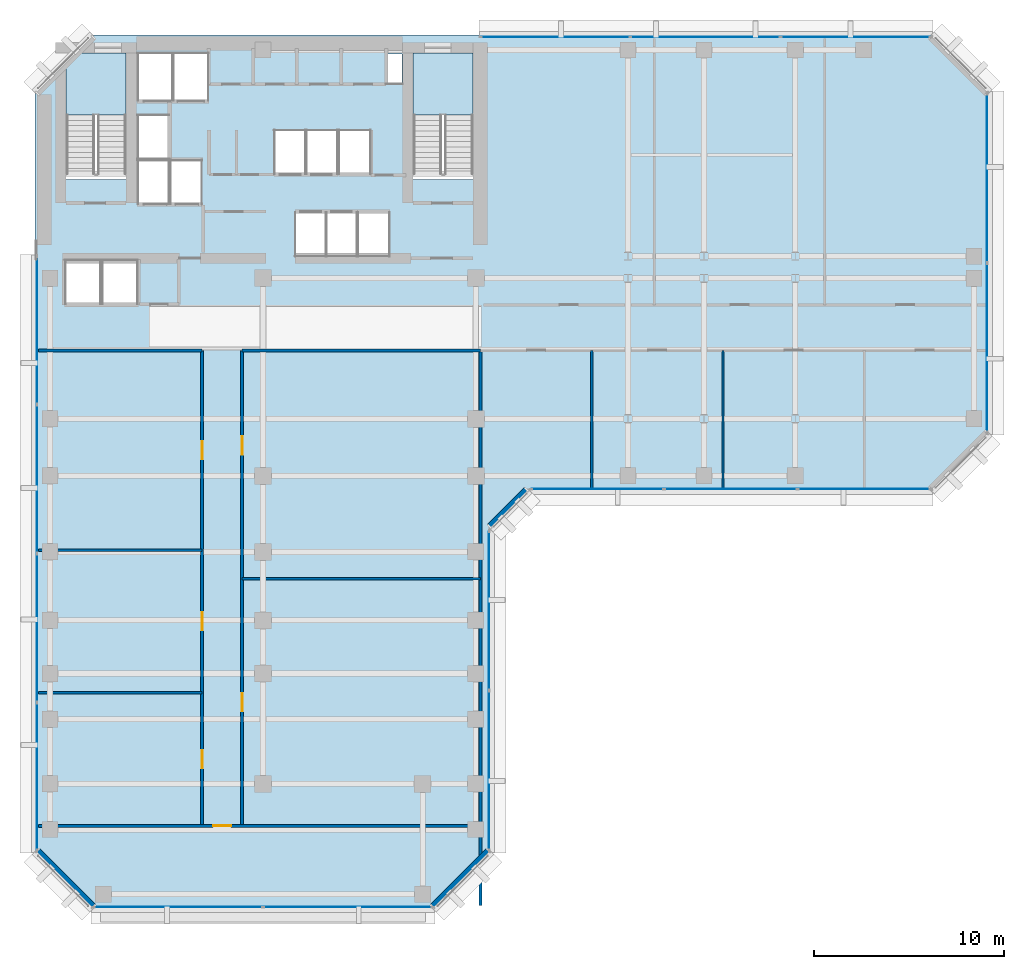
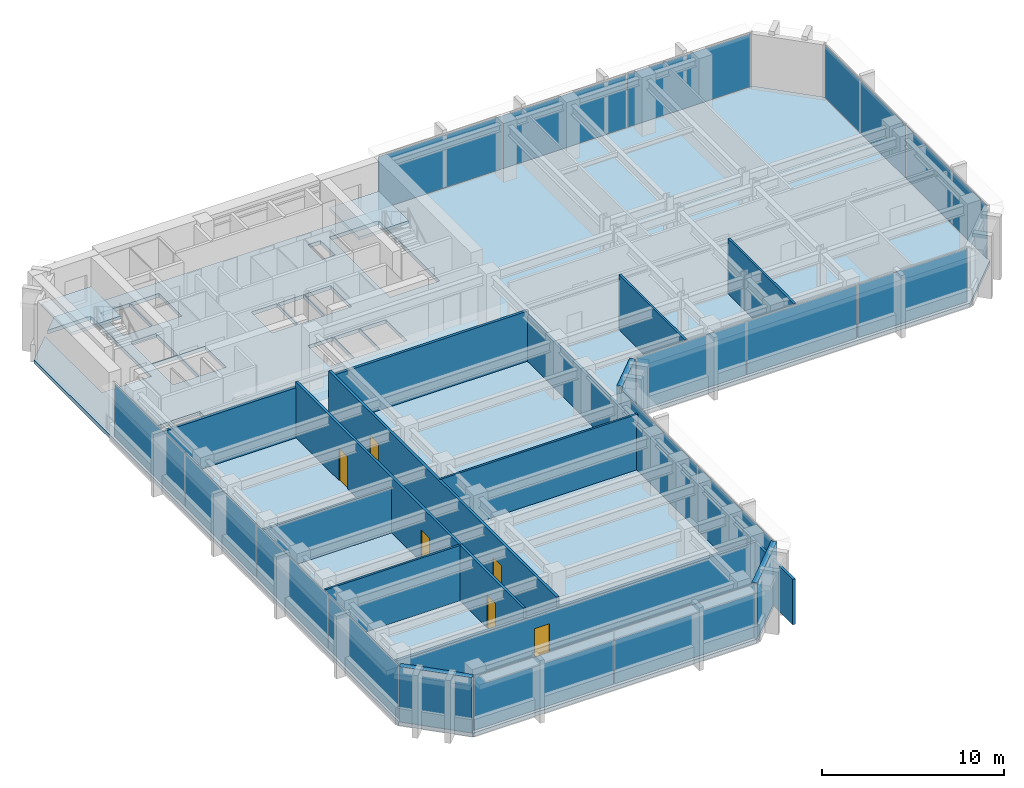
# One storey, part 6 of 11: 16 plates, 14 walls, 6 doors, 3 slabs, 6 openings, 8 elements without a shape of their own.
"""IFC4 building model written with IfcOpenShell, lengths in metres."""

from ifc_helpers import new_model, si_unit, direction, frame, frame_2d, origin, origin_2d, place, context, subcontext, project, spatial, polyline, rectangle, outline, extrude, material, layer, layer_set, type_object, element, fill, aggregate, save


model = new_model("IFC4")

# Units and contexts
model_context = context("Model", 3, precision=1e-05, world=origin(), true_north=direction((0.0, 1.0)))
body_context = subcontext(model_context, "Body", "Model", "MODEL_VIEW")
ifc_project = project(units=[si_unit("LENGTHUNIT", "METRE"), si_unit("AREAUNIT", "SQUARE_METRE"), si_unit("VOLUMEUNIT", "CUBIC_METRE"), si_unit("PLANEANGLEUNIT", "RADIAN"), si_unit("MASSUNIT", "GRAM", prefix="KILO")], contexts=[model_context])

# Site, building, storey
site_placement = place(None, origin())
site = spatial("IfcSite", under=ifc_project, at=site_placement, CompositionType="ELEMENT")
building_placement = place(site_placement, origin())
building = spatial("IfcBuilding", under=site, at=building_placement, Name="Kefirva Bronze Tower", CompositionType="ELEMENT")
storey_placement = place(building_placement, frame((0.0, 0.0, 158.72998046875)))
storey = spatial("IfcBuildingStorey", under=building, at=storey_placement, Name="L38", CompositionType="ELEMENT", Elevation=158.72998046875)

# Stair, slab
ifc_material_1 = material(Name="Concrete C40/50", Category="concrete")
stair_type = type_object("IfcStairType", Name="RC Dogleg Protected Stair 24R", PredefinedType="HALF_TURN_STAIR", material=ifc_material_1)
stair_1_placement = place(storey_placement, origin())
stair_1 = element("IfcStair", 1, at=stair_1_placement, inside=storey, type_object=stair_type, Name="L38 Protected Exit Stair 1", PredefinedType="HALF_TURN_STAIR")
ifc_layer_1 = layer(ifc_material_1, 0.199951171875, Name="Concrete C40/50")
ifc_layer_set_1 = layer_set([ifc_layer_1], Name="Concrete C40/50")
slab_type_1 = type_object("IfcSlabType", Name="RC Stair Landing Slab 200mm", PredefinedType="LANDING", material=ifc_layer_set_1)
slab_1_placement = place(storey_placement, frame((0.0, 0.0, 1.780029296875)))
slab_1 = element("IfcSlab", 2, at=slab_1_placement, type_object=slab_type_1, Name="ST-1 landing 1", PredefinedType="LANDING", context=body_context, shape_type="SweptSolid", body=[
    extrude(outline(polyline([(4.800048828125, 41.780029296875), (4.800048828125, 45.050048828125), (1.64990234375, 45.050048828125), (1.64990234375, 41.780029296875), (4.800048828125, 41.780029296875)])), origin(), (0.0, 0.0, 1.0), 0.199951171875),
])
aggregate(stair_1, [slab_1])

stair_2_placement = place(storey_placement, origin())
stair_2 = element("IfcStair", 3, at=stair_2_placement, inside=storey, type_object=stair_type, Name="L38 Protected Exit Stair 2", PredefinedType="HALF_TURN_STAIR")
slab_2_placement = place(storey_placement, frame((0.0, 0.0, 1.780029296875)))
slab_2 = element("IfcSlab", 4, at=slab_2_placement, type_object=slab_type_1, Name="ST-2 landing 1", PredefinedType="LANDING", context=body_context, shape_type="SweptSolid", body=[
    extrude(outline(polyline([(23.050048828125, 41.780029296875), (23.050048828125, 45.050048828125), (19.89990234375, 45.050048828125), (19.89990234375, 41.780029296875), (23.050048828125, 41.780029296875)])), origin(), (0.0, 0.0, 1.0), 0.199951171875),
])
aggregate(stair_2, [slab_2])

# Slab
ifc_layer_2 = layer(ifc_material_1, 0.25, Name="Concrete C40/50")
ifc_layer_set_2 = layer_set([ifc_layer_2], Name="Concrete C40/50")
slab_type_2 = type_object("IfcSlabType", Name="RC Tower Floor Slab 250mm", PredefinedType="FLOOR", material=ifc_layer_set_2)
slab_3_placement = place(storey_placement, frame((0.0, 0.0, -0.25)))
element("IfcSlab", 5, at=slab_3_placement, inside=storey, type_object=slab_type_2, Name="L38 Structural Floor Slab", PredefinedType="FLOOR", context=body_context, shape_type="SweptSolid", body=[
    extrude(outline(polyline([(0.0, 3.0), (0.0, 43.0), (1.64990234375, 44.64990234375), (1.64990234375, 38.39990234375), (4.800048828125, 38.39990234375), (4.800048828125, 45.050048828125), (2.050048828125, 45.050048828125), (3.0, 46.0), (47.199951171875, 46.0), (50.199951171875, 43.0), (50.199951171875, 25.0), (47.199951171875, 22.0), (26.0, 22.0), (24.0, 20.0), (24.0, 3.0), (21.0, 0.0), (3.0, 0.0), (0.0, 3.0)]), holes=[polyline([(23.050048828125, 38.39990234375), (23.050048828125, 45.050048828125), (19.89990234375, 45.050048828125), (19.89990234375, 38.39990234375), (23.050048828125, 38.39990234375)]), polyline([(19.320068359375, 43.419921875), (19.320068359375, 45.0), (18.52001953125, 45.0), (18.52001953125, 43.419921875), (19.320068359375, 43.419921875)]), polyline([(18.64990234375, 34.35009765625), (18.64990234375, 36.64990234375), (17.0, 36.64990234375), (17.0, 34.35009765625), (18.64990234375, 34.35009765625)]), polyline([(17.64990234375, 38.679931640625), (17.64990234375, 40.97998046875), (16.0, 40.97998046875), (16.0, 38.679931640625), (17.64990234375, 38.679931640625)]), polyline([(16.949951171875, 34.35009765625), (16.949951171875, 36.64990234375), (15.35009765625, 36.64990234375), (15.35009765625, 34.35009765625), (16.949951171875, 34.35009765625)]), polyline([(15.929931640625, 38.679931640625), (15.929931640625, 40.97998046875), (14.300048828125, 40.97998046875), (14.300048828125, 38.679931640625), (15.929931640625, 38.679931640625)]), polyline([(15.300048828125, 34.35009765625), (15.300048828125, 36.64990234375), (13.699951171875, 36.64990234375), (13.699951171875, 34.35009765625), (15.300048828125, 34.35009765625)]), polyline([(14.22998046875, 38.679931640625), (14.22998046875, 40.97998046875), (12.60009765625, 40.97998046875), (12.60009765625, 38.679931640625), (14.22998046875, 38.679931640625)]), polyline([(9.1201171875, 42.550048828125), (9.1201171875, 45.050048828125), (7.300048828125, 45.050048828125), (7.300048828125, 42.550048828125), (9.1201171875, 42.550048828125)]), polyline([(8.780029296875, 37.10009765625), (8.780029296875, 39.39990234375), (7.139892578125, 39.39990234375), (7.139892578125, 37.10009765625), (8.780029296875, 37.10009765625)]), polyline([(7.239990234375, 42.550048828125), (7.239990234375, 45.050048828125), (5.419921875, 45.050048828125), (5.419921875, 42.550048828125), (7.239990234375, 42.550048828125)]), polyline([(7.06005859375, 37.10009765625), (7.06005859375, 39.39990234375), (5.419921875, 39.39990234375), (5.419921875, 37.10009765625), (7.06005859375, 37.10009765625)]), polyline([(7.06005859375, 39.47998046875), (7.06005859375, 41.780029296875), (5.419921875, 41.780029296875), (5.419921875, 39.47998046875), (7.06005859375, 39.47998046875)]), polyline([(5.39990234375, 31.85009765625), (5.39990234375, 34.14990234375), (3.550048828125, 34.14990234375), (3.550048828125, 31.85009765625), (5.39990234375, 31.85009765625)]), polyline([(3.449951171875, 31.85009765625), (3.449951171875, 34.14990234375), (1.60009765625, 34.14990234375), (1.60009765625, 31.85009765625), (3.449951171875, 31.85009765625)])]), origin(), (0.0, 0.0, 1.0), 0.25),
])

# Curtain wall, plates
ifc_material_2 = material(Name="Bronze anodised aluminium", Category="aluminium")
ifc_layer_3 = layer(ifc_material_2, 0.199951171875, Name="Bronze anodised aluminium")
ifc_layer_set_3 = layer_set([ifc_layer_3], Name="Bronze anodised aluminium")
curtain_wall_type = type_object("IfcCurtainWallType", Name="Unitised Bronze Ribbon Curtain Wall Zone 2", PredefinedType="USERDEFINED", material=ifc_layer_set_3)
curtain_wall_1_placement = place(storey_placement, origin())
curtain_wall_1 = element("IfcCurtainWall", 6, at=curtain_wall_1_placement, inside=storey, type_object=curtain_wall_type, Name="L38 Curtain Wall 1", ObjectType="UNITISED CURTAIN WALL", PredefinedType="USERDEFINED")
ifc_material_3 = material(Name="Laminated low-E double glazing", Category="glass")
ifc_layer_4 = layer(ifc_material_3, 0.031982421875, Name="Laminated low-E double glazing")
ifc_layer_set_4 = layer_set([ifc_layer_4], Name="Laminated low-E double glazing")
plate_type = type_object("IfcPlateType", Name="Solar-Control Low-E Vision Panel 32mm", PredefinedType="CURTAIN_PANEL", material=ifc_layer_set_4)
plate_1_placement = place(storey_placement, frame((7.546142578125, 0.1201171875, 0.074951171875), z_axis=(0.0, 0.0, 1.0), x_axis=(1.0, 0.0, 0.0)))
plate_1 = element("IfcPlate", 7, at=plate_1_placement, type_object=plate_type, Name="CW-02 panel 1.1", PredefinedType="CURTAIN_PANEL", context=body_context, shape_type="SweptSolid", body=[
    extrude(rectangle(XDim=8.83251953125, YDim=0.031982421875, at=origin_2d()), origin(), (0.0, 0.0, 1.0), 3.56005859375),
])
plate_2_placement = place(storey_placement, frame((16.453857421875, 0.1201171875, 0.074951171875), z_axis=(0.0, 0.0, 1.0), x_axis=(1.0, 0.0, 0.0)))
plate_2 = element("IfcPlate", 8, at=plate_2_placement, type_object=plate_type, Name="CW-02 panel 2.1", PredefinedType="CURTAIN_PANEL", context=body_context, shape_type="SweptSolid", body=[
    extrude(rectangle(XDim=8.83251953125, YDim=0.031982421875, at=origin_2d()), origin(), (0.0, 0.0, 1.0), 3.56005859375),
])
aggregate(curtain_wall_1, [plate_1, plate_2])

curtain_wall_2_placement = place(storey_placement, origin())
curtain_wall_2 = element("IfcCurtainWall", 9, at=curtain_wall_2_placement, inside=storey, type_object=curtain_wall_type, Name="L38 Curtain Wall 2", ObjectType="UNITISED CURTAIN WALL", PredefinedType="USERDEFINED")
plate_3_placement = place(storey_placement, frame((23.8798828125, 7.296142578125, 0.074951171875), z_axis=(0.0, 0.0, 1.0), x_axis=(0.0, 1.0, 0.0)))
plate_3 = element("IfcPlate", 10, at=plate_3_placement, type_object=plate_type, Name="CW-02 panel 1.1", PredefinedType="CURTAIN_PANEL", context=body_context, shape_type="SweptSolid", body=[
    extrude(rectangle(XDim=8.33251953125, YDim=0.031982421875, at=origin_2d()), origin(), (0.0, 0.0, 1.0), 3.56005859375),
])
plate_4_placement = place(storey_placement, frame((23.8798828125, 15.703857421875, 0.074951171875), z_axis=(0.0, 0.0, 1.0), x_axis=(0.0, 1.0, 0.0)))
plate_4 = element("IfcPlate", 11, at=plate_4_placement, type_object=plate_type, Name="CW-02 panel 2.1", PredefinedType="CURTAIN_PANEL", context=body_context, shape_type="SweptSolid", body=[
    extrude(rectangle(XDim=8.33251953125, YDim=0.031982421875, at=origin_2d()), origin(), (0.0, 0.0, 1.0), 3.56005859375),
])
aggregate(curtain_wall_2, [plate_3, plate_4])

curtain_wall_3_placement = place(storey_placement, origin())
curtain_wall_3 = element("IfcCurtainWall", 12, at=curtain_wall_3_placement, inside=storey, type_object=curtain_wall_type, Name="L38 Curtain Wall 3", ObjectType="UNITISED CURTAIN WALL", PredefinedType="USERDEFINED")
plate_5_placement = place(storey_placement, frame((29.5888671875, 22.1201171875, 0.074951171875), z_axis=(0.0, 0.0, 1.0), x_axis=(1.0, 0.0, 0.0)))
plate_5 = element("IfcPlate", 13, at=plate_5_placement, type_object=plate_type, Name="CW-02 panel 1.1", PredefinedType="CURTAIN_PANEL", context=body_context, shape_type="SweptSolid", body=[
    extrude(rectangle(XDim=6.91748046875, YDim=0.031982421875, at=origin_2d()), origin(), (0.0, 0.0, 1.0), 3.56005859375),
])
plate_6_placement = place(storey_placement, frame((36.60009765625, 22.1201171875, 0.074951171875), z_axis=(0.0, 0.0, 1.0), x_axis=(1.0, 0.0, 0.0)))
plate_6 = element("IfcPlate", 14, at=plate_6_placement, type_object=plate_type, Name="CW-02 panel 2.1", PredefinedType="CURTAIN_PANEL", context=body_context, shape_type="SweptSolid", body=[
    extrude(rectangle(XDim=6.955078125, YDim=0.031982421875, at=origin_2d()), origin(), (0.0, 0.0, 1.0), 3.56005859375),
])
plate_7_placement = place(storey_placement, frame((43.611328125, 22.1201171875, 0.074951171875), z_axis=(0.0, 0.0, 1.0), x_axis=(1.0, 0.0, 0.0)))
plate_7 = element("IfcPlate", 15, at=plate_7_placement, type_object=plate_type, Name="CW-02 panel 3.1", PredefinedType="CURTAIN_PANEL", context=body_context, shape_type="SweptSolid", body=[
    extrude(rectangle(XDim=6.91748046875, YDim=0.031982421875, at=origin_2d()), origin(), (0.0, 0.0, 1.0), 3.56005859375),
])
aggregate(curtain_wall_3, [plate_5, plate_6, plate_7])

curtain_wall_4_placement = place(storey_placement, origin())
curtain_wall_4 = element("IfcCurtainWall", 16, at=curtain_wall_4_placement, inside=storey, type_object=curtain_wall_type, Name="L38 Curtain Wall 4", ObjectType="UNITISED CURTAIN WALL", PredefinedType="USERDEFINED")
plate_8_placement = place(storey_placement, frame((50.080078125, 29.546142578125, 0.074951171875), z_axis=(0.0, 0.0, 1.0), x_axis=(0.0, 1.0, 0.0)))
plate_8 = element("IfcPlate", 17, at=plate_8_placement, type_object=plate_type, Name="CW-02 panel 1.1", PredefinedType="CURTAIN_PANEL", context=body_context, shape_type="SweptSolid", body=[
    extrude(rectangle(XDim=8.83251953125, YDim=0.031982421875, at=origin_2d()), origin(), (0.0, 0.0, 1.0), 3.56005859375),
])
plate_9_placement = place(storey_placement, frame((50.080078125, 38.453857421875, 0.074951171875), z_axis=(0.0, 0.0, 1.0), x_axis=(0.0, 1.0, 0.0)))
plate_9 = element("IfcPlate", 18, at=plate_9_placement, type_object=plate_type, Name="CW-02 panel 2.1", PredefinedType="CURTAIN_PANEL", context=body_context, shape_type="SweptSolid", body=[
    extrude(rectangle(XDim=8.83251953125, YDim=0.031982421875, at=origin_2d()), origin(), (0.0, 0.0, 1.0), 3.56005859375),
])
aggregate(curtain_wall_4, [plate_8, plate_9])

curtain_wall_5_placement = place(storey_placement, origin())
curtain_wall_5 = element("IfcCurtainWall", 19, at=curtain_wall_5_placement, inside=storey, type_object=curtain_wall_type, Name="L38 Curtain Wall 5", ObjectType="UNITISED CURTAIN WALL", PredefinedType="USERDEFINED")
plate_10_placement = place(storey_placement, frame((43.169677734375, 45.8798828125, 0.074951171875), z_axis=(0.0, 0.0, 1.0), x_axis=(-1.0, 0.0, 0.0)))
plate_10 = element("IfcPlate", 20, at=plate_10_placement, type_object=plate_type, Name="CW-02 panel 1.1", PredefinedType="CURTAIN_PANEL", context=body_context, shape_type="SweptSolid", body=[
    extrude(rectangle(XDim=7.80078125, YDim=0.031982421875, at=origin_2d()), origin(), (0.0, 0.0, 1.0), 3.56005859375),
])
plate_11_placement = place(storey_placement, frame((35.27490234375, 45.8798828125, 0.074951171875), z_axis=(0.0, 0.0, 1.0), x_axis=(-1.0, 0.0, 0.0)))
plate_11 = element("IfcPlate", 21, at=plate_11_placement, type_object=plate_type, Name="CW-02 panel 2.1", PredefinedType="CURTAIN_PANEL", context=body_context, shape_type="SweptSolid", body=[
    extrude(rectangle(XDim=7.83837890625, YDim=0.031982421875, at=origin_2d()), origin(), (0.0, 0.0, 1.0), 3.56005859375),
])
plate_12_placement = place(storey_placement, frame((27.38037109375, 45.8798828125, 0.074951171875), z_axis=(0.0, 0.0, 1.0), x_axis=(-1.0, 0.0, 0.0)))
plate_12 = element("IfcPlate", 22, at=plate_12_placement, type_object=plate_type, Name="CW-02 panel 3.1", PredefinedType="CURTAIN_PANEL", context=body_context, shape_type="SweptSolid", body=[
    extrude(rectangle(XDim=7.80078125, YDim=0.031982421875, at=origin_2d()), origin(), (0.0, 0.0, 1.0), 3.56005859375),
])
aggregate(curtain_wall_5, [plate_10, plate_11, plate_12])

curtain_wall_6_placement = place(storey_placement, origin())
curtain_wall_6 = element("IfcCurtainWall", 23, at=curtain_wall_6_placement, inside=storey, type_object=curtain_wall_type, Name="L38 Curtain Wall 6", ObjectType="UNITISED CURTAIN WALL", PredefinedType="USERDEFINED")
plate_13_placement = place(storey_placement, frame((0.1201171875, 30.458740234375, 0.074951171875), z_axis=(0.0, 0.0, 1.0), x_axis=(0.0, -1.0, 0.0)))
plate_13 = element("IfcPlate", 24, at=plate_13_placement, type_object=plate_type, Name="CW-02 panel 1.1", PredefinedType="CURTAIN_PANEL", context=body_context, shape_type="SweptSolid", body=[
    extrude(rectangle(XDim=7.722412109375, YDim=0.031982421875, at=origin_2d()), origin(), (0.0, 0.0, 1.0), 3.56005859375),
])
plate_14_placement = place(storey_placement, frame((0.1201171875, 22.642578125, 0.074951171875), z_axis=(0.0, 0.0, 1.0), x_axis=(0.0, -1.0, 0.0)))
plate_14 = element("IfcPlate", 25, at=plate_14_placement, type_object=plate_type, Name="CW-02 panel 2.1", PredefinedType="CURTAIN_PANEL", context=body_context, shape_type="SweptSolid", body=[
    extrude(rectangle(XDim=7.760009765625, YDim=0.031982421875, at=origin_2d()), origin(), (0.0, 0.0, 1.0), 3.56005859375),
])
plate_15_placement = place(storey_placement, frame((0.1201171875, 14.8076171875, 0.074951171875), z_axis=(0.0, 0.0, 1.0), x_axis=(0.0, -1.0, 0.0)))
plate_15 = element("IfcPlate", 26, at=plate_15_placement, type_object=plate_type, Name="CW-02 panel 3.1", PredefinedType="CURTAIN_PANEL", context=body_context, shape_type="SweptSolid", body=[
    extrude(rectangle(XDim=7.760009765625, YDim=0.031982421875, at=origin_2d()), origin(), (0.0, 0.0, 1.0), 3.56005859375),
])
plate_16_placement = place(storey_placement, frame((0.1201171875, 6.9912109375, 0.074951171875), z_axis=(0.0, 0.0, 1.0), x_axis=(0.0, -1.0, 0.0)))
plate_16 = element("IfcPlate", 27, at=plate_16_placement, type_object=plate_type, Name="CW-02 panel 4.1", PredefinedType="CURTAIN_PANEL", context=body_context, shape_type="SweptSolid", body=[
    extrude(rectangle(XDim=7.722412109375, YDim=0.031982421875, at=origin_2d()), origin(), (0.0, 0.0, 1.0), 3.56005859375),
])
aggregate(curtain_wall_6, [plate_13, plate_14, plate_15, plate_16])

# Walls
ifc_material_4 = material(Name="Gypsum acoustic partition")
ifc_layer_5 = layer(ifc_material_4, 0.1298828125, Name="Gypsum acoustic partition")
ifc_layer_set_5 = layer_set([ifc_layer_5], Name="Gypsum acoustic partition")
wall_type_1 = type_object("IfcWallType", Name="Acoustic Office Partition 130mm", PredefinedType="PARTITIONING", material=ifc_layer_set_5)
wall_1_placement = place(storey_placement, frame((0.18994140625, 11.392822265625, 0.0), z_axis=(0.0, 0.0, 1.0), x_axis=(1.0, 0.0, 0.0)))
element("IfcWall", 28, at=wall_1_placement, inside=storey, type_object=wall_type_1, Name="L38 Partition W-L38-SWD1", PredefinedType="PARTITIONING", context=body_context, shape_type="SweptSolid", body=[
    extrude(rectangle(XDim=8.610107421875, YDim=0.1298828125, at=frame_2d((4.30517578125, 0.0))), origin(), (0.0, 0.0, 1.0), 3.7099609375),
])
wall_2_placement = place(storey_placement, frame((0.18994140625, 18.895751953125, 0.0), z_axis=(0.0, 0.0, 1.0), x_axis=(1.0, 0.0, 0.0)))
element("IfcWall", 29, at=wall_2_placement, inside=storey, type_object=wall_type_1, Name="L38 Partition W-L38-SWD2", PredefinedType="PARTITIONING", context=body_context, shape_type="SweptSolid", body=[
    extrude(rectangle(XDim=8.610107421875, YDim=0.1298828125, at=frame_2d((4.30517578125, 0.0))), origin(), (0.0, 0.0, 1.0), 3.044921875),
])
wall_3_placement = place(storey_placement, frame((10.89990234375, 17.395263671875, 0.0), z_axis=(0.0, 0.0, 1.0), x_axis=(1.0, 0.0, 0.0)))
element("IfcWall", 30, at=wall_3_placement, inside=storey, type_object=wall_type_1, Name="L38 Partition W-L38-SED1", PredefinedType="PARTITIONING", context=body_context, shape_type="SweptSolid", body=[
    extrude(rectangle(XDim=12.550048828125, YDim=0.1298828125, at=frame_2d((6.27490234375, 0.0))), origin(), (0.0, 0.0, 1.0), 3.7099609375),
])
for number, where, z_axis, x_axis, name in (
    (31, (29.293212890625, 22.18994140625, 0.0), (0.0, 0.0, 1.0), (0.0, 1.0, 0.0), "L38 Partition W-L38-ESD1"),
    (32, (36.19873046875, 22.18994140625, 0.0), (0.0, 0.0, 1.0), (0.0, 1.0, 0.0), "L38 Partition W-L38-ESD2"),
):
    element("IfcWall", number, at=place(storey_placement, frame(where, z_axis=z_axis, x_axis=x_axis)), inside=storey, type_object=wall_type_1, Name=name, PredefinedType="PARTITIONING", context=body_context, shape_type="SweptSolid", body=[
        extrude(rectangle(XDim=7.2099609375, YDim=0.1298828125, at=frame_2d((3.60498046875, 0.0))), origin(), (0.0, 0.0, 1.0), 3.7099609375),
    ])
ifc_material_5 = material(Name="Precast concrete C40/50", Category="concrete")
ifc_layer_6 = layer(ifc_material_5, 0.320068359375, Name="Precast concrete C40/50")
ifc_layer_set_6 = layer_set([ifc_layer_6], Name="Precast concrete C40/50")
wall_type_2 = type_object("IfcWallType", Name="Precast Insulated Exterior Wall 320mm", PredefinedType="SOLIDWALL", material=ifc_layer_set_6)
wall_4_placement = place(storey_placement, frame((20.92578125, 0.152099609375, 0.0), z_axis=(0.0, 0.0, 1.0), x_axis=(0.707106781187, 0.707106781187, 0.0)))
element("IfcWall", 33, at=wall_4_placement, inside=storey, type_object=wall_type_2, Name="L38 Exterior Facade Wall 1", PredefinedType="SOLIDWALL", context=body_context, shape_type="SweptSolid", body=[
    extrude(rectangle(XDim=4.132568359375, YDim=0.320068359375, at=frame_2d((2.06640625, 0.0))), origin(), (0.0, 0.0, 1.0), 3.7099609375),
])
wall_5_placement = place(storey_placement, frame((23.92578125, 20.152099609375, 0.0), z_axis=(0.0, 0.0, 1.0), x_axis=(0.707106781187, 0.707106781187, 0.0)))
element("IfcWall", 34, at=wall_5_placement, inside=storey, type_object=wall_type_2, Name="L38 Exterior Facade Wall 2", PredefinedType="SOLIDWALL", context=body_context, shape_type="SweptSolid", body=[
    extrude(rectangle(XDim=2.71826171875, YDim=0.320068359375, at=frame_2d((1.359130859375, 0.0))), origin(), (0.0, 0.0, 1.0), 3.7099609375),
])
wall_6_placement = place(storey_placement, frame((0.152099609375, 3.07421875, 0.0), z_axis=(0.0, 0.0, 1.0), x_axis=(0.707106781187, -0.707106781187, 0.0)))
element("IfcWall", 35, at=wall_6_placement, inside=storey, type_object=wall_type_2, Name="L38 Exterior Facade Wall 6", PredefinedType="SOLIDWALL", context=body_context, shape_type="SweptSolid", body=[
    extrude(rectangle(XDim=4.132568359375, YDim=0.320068359375, at=frame_2d((2.06640625, 0.0))), origin(), (0.0, 0.0, 1.0), 3.7099609375),
])

# Wall, openings, doors
ifc_layer_7 = layer(ifc_material_4, 0.159912109375, Name="Gypsum acoustic partition")
ifc_layer_set_7 = layer_set([ifc_layer_7], Name="Gypsum acoustic partition")
wall_type_3 = type_object("IfcWallType", Name="Protected Corridor Partition 160mm", PredefinedType="PARTITIONING", material=ifc_layer_set_7)
wall_7_placement = place(storey_placement, frame((8.800048828125, 4.389892578125, 0.0), z_axis=(0.0, 0.0, 1.0), x_axis=(0.0, 1.0, 0.0)))
wall_7 = element("IfcWall", 36, at=wall_7_placement, inside=storey, type_object=wall_type_3, Name="L38 Partition W-L38-SWCORW", PredefinedType="PARTITIONING", context=body_context, shape_type="SweptSolid", body=[
    extrude(rectangle(XDim=25.010009765625, YDim=0.159912109375, at=frame_2d((12.5048828125, 0.0))), origin(), (0.0, 0.0, 1.0), 3.7099609375),
])
opening_1_placement = place(wall_7_placement, frame((3.976318359375, 0.0, 0.0), z_axis=(0.0, 0.0, 1.0), x_axis=(-1.0, 0.0, 0.0)))
opening_1 = element("IfcOpeningElement", 37, at=opening_1_placement, cuts=wall_7, Name="Opening L38-D-SW1", PredefinedType="OPENING", context=body_context, shape_type="SweptSolid", body=[
    extrude(rectangle(XDim=0.949951171875, YDim=2.14990234375, at=frame_2d((0.47509765625, 1.074951171875))), frame((0.0, 0.08984375, 0.0), z_axis=(0.0, -1.0, 0.0), x_axis=(1.0, 0.0, 0.0)), (0.0, 0.0, 1.0), 0.179931640625),
])
opening_2_placement = place(wall_7_placement, frame((11.229248046875, 0.0, 0.0), z_axis=(0.0, 0.0, 1.0), x_axis=(-1.0, 0.0, 0.0)))
opening_2 = element("IfcOpeningElement", 38, at=opening_2_placement, cuts=wall_7, Name="Opening L38-D-SW2", PredefinedType="OPENING", context=body_context, shape_type="SweptSolid", body=[
    extrude(rectangle(XDim=0.949951171875, YDim=2.14990234375, at=frame_2d((0.47509765625, 1.074951171875))), frame((0.0, 0.08984375, 0.0), z_axis=(0.0, -1.0, 0.0), x_axis=(1.0, 0.0, 0.0)), (0.0, 0.0, 1.0), 0.179931640625),
])
opening_3_placement = place(wall_7_placement, frame((20.23291015625, 0.0, 0.0), z_axis=(0.0, 0.0, 1.0), x_axis=(-1.0, 0.0, 0.0)))
opening_3 = element("IfcOpeningElement", 39, at=opening_3_placement, cuts=wall_7, Name="Opening L38-D-SW3", PredefinedType="OPENING", context=body_context, shape_type="SweptSolid", body=[
    extrude(rectangle(XDim=0.949951171875, YDim=2.14990234375, at=frame_2d((0.47509765625, 1.074951171875))), frame((0.0, 0.08984375, 0.0), z_axis=(0.0, -1.0, 0.0), x_axis=(1.0, 0.0, 0.0)), (0.0, 0.0, 1.0), 0.179931640625),
])
ifc_material_6 = material(Name="Acoustic hardwood oak", Category="wood")
door_type = type_object("IfcDoorType", Name="Office & Meeting Room Door 950x2150", OperationType="NOTDEFINED", PredefinedType="DOOR", material=ifc_material_6)
door_1_placement = place(opening_1_placement, origin())
door_1 = element("IfcDoor", 40, at=door_1_placement, inside=storey, type_object=door_type, Name="Door L38-D-SW1", OperationType="SINGLE_SWING_RIGHT", OverallHeight=2.14990234375, OverallWidth=0.949951171875, PredefinedType="DOOR", context=body_context, shape_type="SweptSolid", body=[
    extrude(rectangle(XDim=0.949951171875, YDim=2.14990234375, at=frame_2d((0.47509765625, 1.074951171875))), frame((0.0, 0.02490234375, 0.0), z_axis=(0.0, -1.0, 0.0), x_axis=(1.0, 0.0, 0.0)), (0.0, 0.0, 1.0), 0.050048828125),
])
fill(opening_1, door_1)
door_2_placement = place(opening_2_placement, origin())
door_2 = element("IfcDoor", 41, at=door_2_placement, inside=storey, type_object=door_type, Name="Door L38-D-SW2", OperationType="SINGLE_SWING_LEFT", OverallHeight=2.14990234375, OverallWidth=0.949951171875, PredefinedType="DOOR", context=body_context, shape_type="SweptSolid", body=[
    extrude(rectangle(XDim=0.949951171875, YDim=2.14990234375, at=frame_2d((0.47509765625, 1.074951171875))), frame((0.0, 0.02490234375, 0.0), z_axis=(0.0, -1.0, 0.0), x_axis=(1.0, 0.0, 0.0)), (0.0, 0.0, 1.0), 0.050048828125),
])
fill(opening_2, door_2)
door_3_placement = place(opening_3_placement, origin())
door_3 = element("IfcDoor", 42, at=door_3_placement, inside=storey, type_object=door_type, Name="Door L38-D-SW3", OperationType="SINGLE_SWING_RIGHT", OverallHeight=2.14990234375, OverallWidth=0.949951171875, PredefinedType="DOOR", context=body_context, shape_type="SweptSolid", body=[
    extrude(rectangle(XDim=0.949951171875, YDim=2.14990234375, at=frame_2d((0.47509765625, 1.074951171875))), frame((0.0, 0.02490234375, 0.0), z_axis=(0.0, -1.0, 0.0), x_axis=(1.0, 0.0, 0.0)), (0.0, 0.0, 1.0), 0.050048828125),
])
fill(opening_3, door_3)

wall_8_placement = place(storey_placement, frame((10.89990234375, 4.389892578125, 0.0), z_axis=(0.0, 0.0, 1.0), x_axis=(0.0, 1.0, 0.0)))
wall_8 = element("IfcWall", 43, at=wall_8_placement, inside=storey, type_object=wall_type_3, Name="L38 Partition W-L38-SECORE", PredefinedType="PARTITIONING", context=body_context, shape_type="SweptSolid", body=[
    extrude(rectangle(XDim=25.010009765625, YDim=0.159912109375, at=frame_2d((12.5048828125, 0.0))), origin(), (0.0, 0.0, 1.0), 3.7099609375),
])
opening_4_placement = place(wall_8_placement, frame((6.027587890625, 0.0, 0.0)))
opening_4 = element("IfcOpeningElement", 44, at=opening_4_placement, cuts=wall_8, Name="Opening L38-D-SE1", PredefinedType="OPENING", context=body_context, shape_type="SweptSolid", body=[
    extrude(rectangle(XDim=0.949951171875, YDim=2.14990234375, at=frame_2d((0.47509765625, 1.074951171875))), frame((0.0, 0.08984375, 0.0), z_axis=(0.0, -1.0, 0.0), x_axis=(1.0, 0.0, 0.0)), (0.0, 0.0, 1.0), 0.179931640625),
])
opening_5_placement = place(wall_8_placement, frame((19.53271484375, 0.0, 0.0)))
opening_5 = element("IfcOpeningElement", 45, at=opening_5_placement, cuts=wall_8, Name="Opening L38-D-SE2", PredefinedType="OPENING", context=body_context, shape_type="SweptSolid", body=[
    extrude(rectangle(XDim=0.949951171875, YDim=2.14990234375, at=frame_2d((0.47509765625, 1.074951171875))), frame((0.0, 0.08984375, 0.0), z_axis=(0.0, -1.0, 0.0), x_axis=(1.0, 0.0, 0.0)), (0.0, 0.0, 1.0), 0.179931640625),
])
door_4_placement = place(opening_4_placement, origin())
door_4 = element("IfcDoor", 46, at=door_4_placement, inside=storey, type_object=door_type, Name="Door L38-D-SE1", OperationType="SINGLE_SWING_LEFT", OverallHeight=2.14990234375, OverallWidth=0.949951171875, PredefinedType="DOOR", context=body_context, shape_type="SweptSolid", body=[
    extrude(rectangle(XDim=0.949951171875, YDim=2.14990234375, at=frame_2d((0.47509765625, 1.074951171875))), frame((0.0, 0.02490234375, 0.0), z_axis=(0.0, -1.0, 0.0), x_axis=(1.0, 0.0, 0.0)), (0.0, 0.0, 1.0), 0.050048828125),
])
fill(opening_4, door_4)
door_5_placement = place(opening_5_placement, origin())
door_5 = element("IfcDoor", 47, at=door_5_placement, inside=storey, type_object=door_type, Name="Door L38-D-SE2", OperationType="SINGLE_SWING_RIGHT", OverallHeight=2.14990234375, OverallWidth=0.949951171875, PredefinedType="DOOR", context=body_context, shape_type="SweptSolid", body=[
    extrude(rectangle(XDim=0.949951171875, YDim=2.14990234375, at=frame_2d((0.47509765625, 1.074951171875))), frame((0.0, 0.02490234375, 0.0), z_axis=(0.0, -1.0, 0.0), x_axis=(1.0, 0.0, 0.0)), (0.0, 0.0, 1.0), 0.050048828125),
])
fill(opening_5, door_5)

# Wall, opening, door
wall_9_placement = place(storey_placement, frame((0.18994140625, 4.389892578125, 0.0), z_axis=(0.0, 0.0, 1.0), x_axis=(1.0, 0.0, 0.0)))
wall_9 = element("IfcWall", 48, at=wall_9_placement, inside=storey, type_object=wall_type_3, Name="L38 Partition W-L38-SBEND", PredefinedType="PARTITIONING", context=body_context, shape_type="SweptSolid", body=[
    extrude(rectangle(XDim=23.260009765625, YDim=0.159912109375, at=frame_2d((11.6298828125, 0.0))), origin(), (0.0, 0.0, 1.0), 3.044921875),
])
opening_6_placement = place(wall_9_placement, frame((9.18994140625, 0.0, 0.0)))
opening_6 = element("IfcOpeningElement", 49, at=opening_6_placement, cuts=wall_9, Name="Opening L38-D-SEND1", PredefinedType="OPENING", context=body_context, shape_type="SweptSolid", body=[
    extrude(rectangle(XDim=0.949951171875, YDim=2.14990234375, at=frame_2d((0.47509765625, 1.074951171875))), frame((0.0, 0.08984375, 0.0), z_axis=(0.0, -1.0, 0.0), x_axis=(1.0, 0.0, 0.0)), (0.0, 0.0, 1.0), 0.179931640625),
])
door_6_placement = place(opening_6_placement, origin())
door_6 = element("IfcDoor", 50, at=door_6_placement, inside=storey, type_object=door_type, Name="Door L38-D-SEND1", OperationType="SINGLE_SWING_LEFT", OverallHeight=2.14990234375, OverallWidth=0.949951171875, PredefinedType="DOOR", context=body_context, shape_type="SweptSolid", body=[
    extrude(rectangle(XDim=0.949951171875, YDim=2.14990234375, at=frame_2d((0.47509765625, 1.074951171875))), frame((0.0, 0.02490234375, 0.0), z_axis=(0.0, -1.0, 0.0), x_axis=(1.0, 0.0, 0.0)), (0.0, 0.0, 1.0), 0.050048828125),
])
fill(opening_6, door_6)

# Walls
wall_10_placement = place(storey_placement, frame((0.18994140625, 29.39990234375, 0.0), z_axis=(0.0, 0.0, 1.0), x_axis=(1.0, 0.0, 0.0)))
element("IfcWall", 51, at=wall_10_placement, inside=storey, type_object=wall_type_3, Name="L38 Partition W-L38-NWT", PredefinedType="PARTITIONING", context=body_context, shape_type="SweptSolid", body=[
    extrude(rectangle(XDim=8.610107421875, YDim=0.159912109375, at=frame_2d((4.30517578125, 0.0))), origin(), (0.0, 0.0, 1.0), 3.364990234375),
])
wall_11_placement = place(storey_placement, frame((10.89990234375, 29.39990234375, 0.0), z_axis=(0.0, 0.0, 1.0), x_axis=(1.0, 0.0, 0.0)))
element("IfcWall", 52, at=wall_11_placement, inside=storey, type_object=wall_type_3, Name="L38 Partition W-L38-NET", PredefinedType="PARTITIONING", context=body_context, shape_type="SweptSolid", body=[
    extrude(rectangle(XDim=12.550048828125, YDim=0.159912109375, at=frame_2d((6.27490234375, 0.0))), origin(), (0.0, 0.0, 1.0), 3.364990234375),
])
wall_12_placement = place(storey_placement, frame((23.449951171875, 0.18994140625, 0.0), z_axis=(0.0, 0.0, 1.0), x_axis=(0.0, 1.0, 0.0)))
element("IfcWall", 53, at=wall_12_placement, inside=storey, type_object=wall_type_3, Name="L38 Partition W-L38-SWEAST", PredefinedType="PARTITIONING", context=body_context, shape_type="SweptSolid", body=[
    extrude(rectangle(XDim=29.2099609375, YDim=0.159912109375, at=frame_2d((14.60498046875, 0.0))), origin(), (0.0, 0.0, 1.0), 3.044921875),
])

save(model, "model.ifc")
